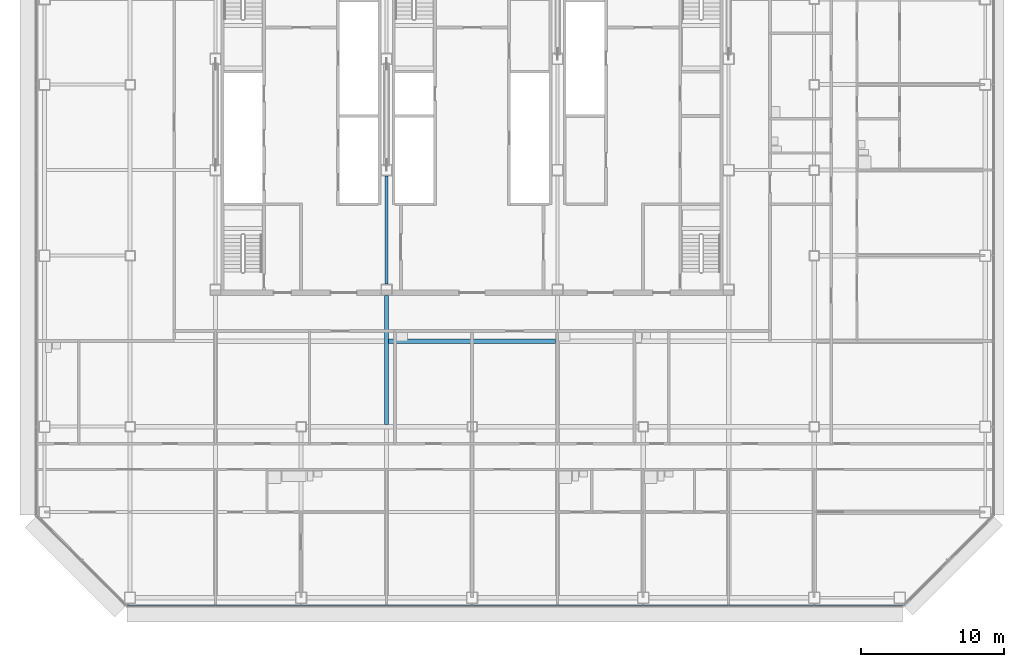
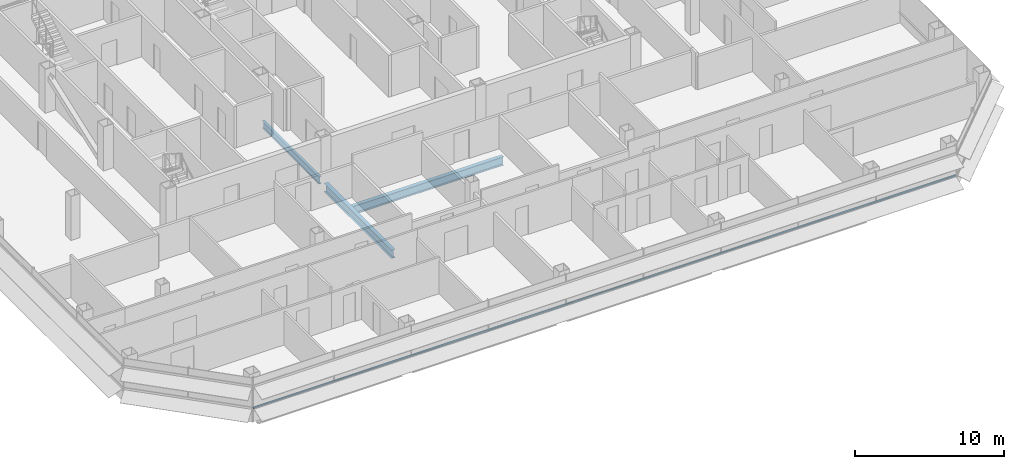
# One storey, part 7 of 25: 3 beams, 1 member, 1 element without a shape of its own.
"""IFC4 building model written with IfcOpenShell, lengths in metres."""

import ifcopenshell
import ifcopenshell.guid

model = None  # the IFC model being written
_history = None  # IfcOwnerHistory: only IFC2X3 demands one
_inside = {}  # id of a spatial element -> (the spatial element, [elements in it])
_under = {}  # id of a project, library or spatial element -> (it, [spatial elements below it])
_declared = {}  # id of a project -> (the project, [libraries it declares])
_typed = {}  # id of a type object -> (the type object, [elements of that type])
_made_of = {}  # id of a material, layer set ... -> (it, [elements and type objects made of it])


def new_model(schema):
    """Start an empty IFC model of exactly this schema.

    Asked for "IFC4X3", IfcOpenShell would pick the latest addendum, in which some entities
    have other attributes; the version numbers below select the first issue.
    IFC2X3 requires an IfcOwnerHistory on every rooted entity: one is made here for all.
    """
    global model, _history
    if schema == "IFC4X3":
        model = ifcopenshell.file(schema_version=(4, 3, 0, 0))
    else:
        model = ifcopenshell.file(schema=schema)
    _inside.clear()
    _under.clear()
    _declared.clear()
    _typed.clear()
    _made_of.clear()
    _history = None
    if model.schema == "IFC2X3":
        org = make("IfcOrganization", Name="unknown")
        user = make(
            "IfcPersonAndOrganization",
            ThePerson=make("IfcPerson", FamilyName="unknown"),
            TheOrganization=org,
        )
        app = make(
            "IfcApplication",
            ApplicationDeveloper=org,
            Version="unknown",
            ApplicationFullName="unknown",
            ApplicationIdentifier="unknown",
        )
        _history = make(
            "IfcOwnerHistory",
            OwningUser=user,
            OwningApplication=app,
            ChangeAction="ADDED",
            CreationDate=0,
        )
    return model


def make(cls, **values):
    """One entity of the class cls with the attributes given. An attribute that is None is left unset."""
    return model.create_entity(
        cls, **{name: value for name, value in values.items() if value is not None}
    )


def rooted(cls, **values):
    """An entity with a GlobalId (a new one), such as an element, a storey or a relation."""
    return make(cls, GlobalId=ifcopenshell.guid.new(), OwnerHistory=_history, **values)


def si_unit(unit_type, name, prefix=None):
    """IfcSIUnit, for example si_unit("LENGTHUNIT", "METRE", prefix="MILLI")."""
    return make("IfcSIUnit", UnitType=unit_type, Prefix=prefix, Name=name)


def assignment(units):
    """IfcUnitAssignment: the units of a project."""
    return None if units is None else make("IfcUnitAssignment", Units=units)


def point(xyz):
    """IfcCartesianPoint."""
    return None if xyz is None else make("IfcCartesianPoint", Coordinates=xyz)


def direction(xyz):
    """IfcDirection."""
    return None if xyz is None else make("IfcDirection", DirectionRatios=xyz)


def frame(location, z_axis=None, x_axis=None):
    """IfcAxis2Placement3D, a coordinate frame: its origin and axes. An axis left out is left unset."""
    return make(
        "IfcAxis2Placement3D",
        Location=point(location),
        Axis=direction(z_axis),
        RefDirection=direction(x_axis),
    )


def frame_2d(location, x_axis=None):
    """IfcAxis2Placement2D, a coordinate frame in the plane: its origin and x axis."""
    return make(
        "IfcAxis2Placement2D", Location=point(location), RefDirection=direction(x_axis)
    )


def origin():
    """The frame at (0, 0, 0) with its axes left unset."""
    return frame((0.0, 0.0, 0.0))


def origin_2d():
    """The frame at (0, 0) in the plane with its x axis left unset."""
    return frame_2d((0.0, 0.0))


def place(relative_to, where):
    """IfcLocalPlacement: puts the frame where relative to a parent placement (None: the world)."""
    return make(
        "IfcLocalPlacement", PlacementRelTo=relative_to, RelativePlacement=where
    )


def context(
    kind, dimensions, precision=None, world=None, true_north=None, identifier=None
):
    """IfcGeometricRepresentationContext, for example the 3D "Model" context."""
    return make(
        "IfcGeometricRepresentationContext",
        ContextIdentifier=identifier,
        ContextType=kind,
        CoordinateSpaceDimension=dimensions,
        Precision=precision,
        WorldCoordinateSystem=world,
        TrueNorth=true_north,
    )


def subcontext(parent, identifier, kind, view, scale=None):
    """IfcGeometricRepresentationSubContext, for example "Body" below "Model"."""
    return make(
        "IfcGeometricRepresentationSubContext",
        ContextIdentifier=identifier,
        ContextType=kind,
        ParentContext=parent,
        TargetScale=scale,
        TargetView=view,
    )


def project(units=None, contexts=None):
    """IfcProject with its units and contexts."""
    return rooted(
        "IfcProject",
        Name="project",
        RepresentationContexts=contexts,
        UnitsInContext=assignment(units),
    )


def spatial(cls, under=None, at=None, **own):
    """A site, building, storey or space (cls), placed at a placement, below another one or the project."""
    s = rooted(cls, ObjectPlacement=at, **own)
    if under is not None:
        _under.setdefault(under.id(), (under, []))[1].append(s)
    return s


def profile(cls, at=None, kind="AREA", **sizes):
    """A parametric profile (cls). Its sizes go by their IFC names, for example OverallWidth=200.0."""
    return make(cls, ProfileType=kind, Position=at, **sizes)


def rectangle(**sizes):
    """IfcRectangleProfileDef."""
    return profile("IfcRectangleProfileDef", **sizes)


def i_section(**sizes):
    """IfcIShapeProfileDef."""
    return profile("IfcIShapeProfileDef", **sizes)


def extrude(swept, where, along, depth):
    """IfcExtrudedAreaSolid: the profile swept, set in the frame where, extruded along a direction by depth."""
    return make(
        "IfcExtrudedAreaSolid",
        SweptArea=swept,
        Position=where,
        ExtrudedDirection=direction(along),
        Depth=depth,
    )


def shape(context_of_items, identifier, shape_type, items):
    """IfcShapeRepresentation: the items that make up one representation, for example the "Body"."""
    return make(
        "IfcShapeRepresentation",
        ContextOfItems=context_of_items,
        RepresentationIdentifier=identifier,
        RepresentationType=shape_type,
        Items=items,
    )


def material(Name=None, Category=None):
    """IfcMaterial."""
    return make("IfcMaterial", Name=Name, Category=Category)


def material_profile(
    of_material, cross_section, Name=None, Category=None, Priority=None
):
    """IfcMaterialProfile: a cross section and its material."""
    return make(
        "IfcMaterialProfile",
        Name=Name,
        Material=of_material,
        Profile=cross_section,
        Priority=Priority,
        Category=Category,
    )


def profile_set(profiles, Name=None, composite=None):
    """IfcMaterialProfileSet."""
    return make(
        "IfcMaterialProfileSet",
        Name=Name,
        MaterialProfiles=profiles,
        CompositeProfile=composite,
    )


def made_of(thing, what):
    """Note that an element or type object is made of a material, layer set ...; save() writes the relation."""
    if what is not None:
        _made_of.setdefault(what.id(), (what, []))[1].append(thing)
    return thing


def type_object(cls, material=None, **own):
    """A type object (cls), such as IfcWallType, which elements share."""
    return made_of(rooted(cls, **own), material)


def element(
    cls,
    number,
    at=None,
    inside=None,
    cuts=None,
    type_object=None,
    material=None,
    context=None,
    identifier="Body",
    shape_type=None,
    held_by="IfcProductDefinitionShape",
    body=None,
    shapes=None,
    **own,
):
    """One element of the class cls, such as IfcWall. Its Tag is "e" and its number.

    at: its placement. inside: the storey or other place that contains it. cuts: it is an
    opening in that element (IfcRelVoidsElement). A single representation is given by context,
    identifier, shape_type and body (its items); several are given by shapes. held_by: the class
    of the entity that holds the representations. save() writes the other relations.
    """
    e = rooted(cls, Tag="e%d" % number, ObjectPlacement=at, **own)
    if body is not None:
        shapes = [shape(context, identifier, shape_type, body)]
    if shapes is not None:
        e.Representation = make(held_by, Representations=shapes)
    if inside is not None:
        _inside.setdefault(inside.id(), (inside, []))[1].append(e)
    if cuts is not None:
        rooted(
            "IfcRelVoidsElement", RelatingBuildingElement=cuts, RelatedOpeningElement=e
        )
    if type_object is not None:
        _typed.setdefault(type_object.id(), (type_object, []))[1].append(e)
    return made_of(e, material)


def aggregate(whole, parts):
    """IfcRelAggregates: a whole, such as a stair, and the parts it consists of."""
    return rooted("IfcRelAggregates", RelatingObject=whole, RelatedObjects=parts)


def save(model, path):
    """Write the relations noted so far, then the file.

    IfcRelAggregates (storeys below a building ...), IfcRelContainedInSpatialStructure (elements
    in a storey), IfcRelDefinesByType, IfcRelAssociatesMaterial and IfcRelDeclares: one each for
    every whole, place, type object, material and project.
    """
    for whole, parts in _under.values():
        aggregate(whole, parts)
    for where, things in _inside.values():
        rooted(
            "IfcRelContainedInSpatialStructure",
            RelatedElements=things,
            RelatingStructure=where,
        )
    for kind, things in _typed.values():
        rooted("IfcRelDefinesByType", RelatedObjects=things, RelatingType=kind)
    for what, things in _made_of.values():
        rooted("IfcRelAssociatesMaterial", RelatedObjects=things, RelatingMaterial=what)
    for by, libraries in _declared.values():
        rooted("IfcRelDeclares", RelatingContext=by, RelatedDefinitions=libraries)
    model.write(path)


model = new_model("IFC4")

# Units and contexts
model_context = context("Model", 3, precision=1e-05, world=origin(), true_north=direction((0.0, 1.0)))
body_context = subcontext(model_context, "Body", "Model", "MODEL_VIEW")
ifc_project = project(units=[si_unit("LENGTHUNIT", "METRE"), si_unit("AREAUNIT", "SQUARE_METRE"), si_unit("VOLUMEUNIT", "CUBIC_METRE"), si_unit("PLANEANGLEUNIT", "RADIAN"), si_unit("MASSUNIT", "GRAM", prefix="KILO")], contexts=[model_context])

# Site, building, storey
site_placement = place(None, origin())
site = spatial("IfcSite", under=ifc_project, at=site_placement, CompositionType="ELEMENT")
building_placement = place(site_placement, origin())
building = spatial("IfcBuilding", under=site, at=building_placement, Name="Sorahane Residences", CompositionType="ELEMENT")
storey_placement = place(building_placement, frame((0.0, 0.0, 126.800048828125)))
storey = spatial("IfcBuildingStorey", under=building, at=storey_placement, Name="L28", CompositionType="ELEMENT", Elevation=126.800048828125)

# Curtain wall, member
ifc_material_1 = material(Name="Dark low-e glass and black anodised aluminium", Category="aluminium")
curtain_wall_type = type_object("IfcCurtainWallType", Name="Curtain wall CW-1 Typical unitised wall", PredefinedType="NOTDEFINED", material=ifc_material_1)
curtain_wall_placement = place(storey_placement, origin())
curtain_wall = element("IfcCurtainWall", 1, at=curtain_wall_placement, inside=storey, type_object=curtain_wall_type, Name="CW-1 curtain wall L28 S1", PredefinedType="NOTDEFINED")
ifc_material_2 = material(Name="Black anodised aluminium", Category="aluminium")
ifc_material_profile_1 = material_profile(ifc_material_2, rectangle(XDim=0.10009765625, YDim=0.06005859375, at=origin_2d()), Name="Curtain wall transom CW-1 black anodised aluminium 60x100")
ifc_profile_set_1 = profile_set([ifc_material_profile_1], Name="Black anodised aluminium")
member_type = type_object("IfcMemberType", Name="Curtain wall transom CW-1 black anodised aluminium 60x100", PredefinedType="USERDEFINED", material=ifc_profile_set_1)
member_placement = place(storey_placement, frame((-0.198486328125, -0.530029296875, 0.89990234375), z_axis=(1.0, 0.0, 0.0), x_axis=(0.0, 1.0, 0.0)))
member = element("IfcMember", 2, at=member_placement, type_object=member_type, Name="CW-1 transom L28 S1", ObjectType="TRANSOM", PredefinedType="USERDEFINED", context=body_context, shape_type="SweptSolid", body=[
    extrude(rectangle(XDim=0.10009765625, YDim=0.06005859375, at=origin_2d()), origin(), (0.0, 0.0, 1.0), 54.39697265625),
])
aggregate(curtain_wall, [member])

# Beams
ifc_material_3 = material(Name="Steel Q355B", Category="steel")
ifc_material_profile_2 = material_profile(ifc_material_3, i_section(OverallWidth=0.199951171875, OverallDepth=0.60009765625, WebThickness=0.010986328125, FlangeThickness=0.01708984375, FilletRadius=0.02392578125, at=origin_2d()), Name="HN 600x200x11x17")
ifc_profile_set_2 = profile_set([ifc_material_profile_2], Name="Steel Q355B")
beam_type_1 = type_object("IfcBeamType", Name="Steel floor beam HN 600x200x11x17 Q355B", PredefinedType="BEAM", material=ifc_profile_set_2)
beam_1_placement = place(storey_placement, frame((18.0, 22.0, -0.47998046875), z_axis=(0.0, 1.0, 0.0), x_axis=(-1.0, 0.0, 0.0)))
element("IfcBeam", 3, at=beam_1_placement, inside=storey, type_object=beam_type_1, Name="Beam L28 038", PredefinedType="BEAM", context=body_context, shape_type="SweptSolid", body=[
    extrude(i_section(OverallWidth=0.199951171875, OverallDepth=0.60009765625, WebThickness=0.010986328125, FlangeThickness=0.01708984375, FilletRadius=0.02392578125, at=origin_2d()), origin(), (0.0, 0.0, 1.0), 7.60009765625),
])
ifc_material_4 = material(Name="Steel Q355B", Category="steel")
ifc_material_profile_3 = material_profile(ifc_material_4, i_section(OverallWidth=0.300048828125, OverallDepth=0.699951171875, WebThickness=0.012939453125, FlangeThickness=0.02392578125, FilletRadius=0.028076171875, at=origin_2d()), Name="HN 700x300x13x24")
ifc_profile_set_3 = profile_set([ifc_material_profile_3], Name="Steel Q355B")
beam_type_2 = type_object("IfcBeamType", Name="Steel floor beam HN 700x300x13x24 Q355B", PredefinedType="BEAM", material=ifc_profile_set_3)
beam_2_placement = place(storey_placement, frame((18.0, 12.14990234375, -0.530029296875), z_axis=(0.0, 1.0, 0.0), x_axis=(-1.0, 0.0, 0.0)))
element("IfcBeam", 4, at=beam_2_placement, inside=storey, type_object=beam_type_2, Name="Beam L28 037", PredefinedType="BEAM", context=body_context, shape_type="SweptSolid", body=[
    extrude(i_section(OverallWidth=0.300048828125, OverallDepth=0.699951171875, WebThickness=0.012939453125, FlangeThickness=0.02392578125, FilletRadius=0.028076171875, at=origin_2d()), origin(), (0.0, 0.0, 1.0), 9.050048828125),
])
beam_3_placement = place(storey_placement, frame((18.14990234375, 18.0, -0.530029296875), z_axis=(1.0, 0.0, 0.0), x_axis=(0.0, 1.0, 0.0)))
element("IfcBeam", 5, at=beam_3_placement, inside=storey, type_object=beam_type_2, Name="Beam L28 081", PredefinedType="BEAM", context=body_context, shape_type="SweptSolid", body=[
    extrude(i_section(OverallWidth=0.300048828125, OverallDepth=0.699951171875, WebThickness=0.012939453125, FlangeThickness=0.02392578125, FilletRadius=0.028076171875, at=origin_2d()), origin(), (0.0, 0.0, 1.0), 11.7001953125),
])

save(model, "model.ifc")
